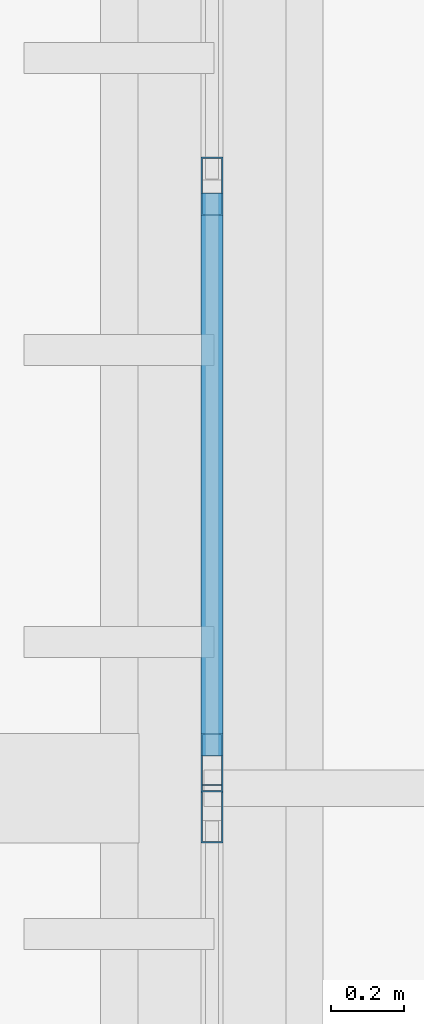
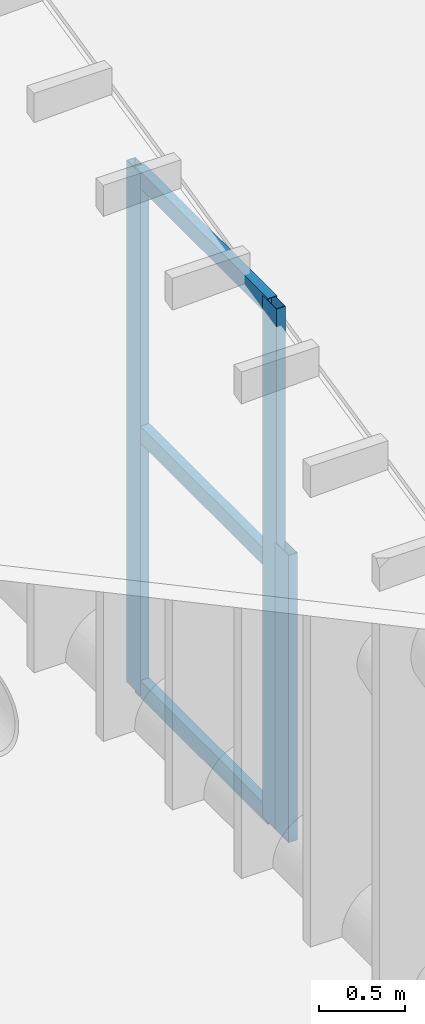
# One storey, part 9 of 397: 6 members, 2 elements without a shape of their own.
"""IFC4 building model written with IfcOpenShell, lengths in metres."""

from ifc_helpers import new_model, si_unit, direction, frame, origin, origin_2d, place, context, subcontext, project, spatial, hollow_rectangle, extrude, material, material_profile, profile_set, type_object, element, aggregate, save


model = new_model("IFC4")

# Units and contexts
model_context = context("Model", 3, precision=1e-05, world=origin(), true_north=direction((0.0, 1.0)))
body_context = subcontext(model_context, "Body", "Model", "MODEL_VIEW")
ifc_project = project(units=[si_unit("LENGTHUNIT", "METRE"), si_unit("AREAUNIT", "SQUARE_METRE"), si_unit("VOLUMEUNIT", "CUBIC_METRE"), si_unit("PLANEANGLEUNIT", "RADIAN"), si_unit("MASSUNIT", "GRAM", prefix="KILO")], contexts=[model_context])

# Site, building, storey
site_placement = place(None, origin())
site = spatial("IfcSite", under=ifc_project, at=site_placement, CompositionType="ELEMENT")
building_placement = place(site_placement, origin())
building = spatial("IfcBuilding", under=site, at=building_placement, Name="Qandorah Velis Arena", CompositionType="ELEMENT")
storey_placement = place(building_placement, frame((0.0, 0.0, 27.5)))
storey = spatial("IfcBuildingStorey", under=building, at=storey_placement, Name="RF", CompositionType="ELEMENT", Elevation=27.5)

# Curtain wall, member
ifc_material_1 = material(Name="Solar-control low-E double glazing", Category="glass")
curtain_wall_type_1 = type_object("IfcCurtainWallType", Name="ARC-CW-SYS01", PredefinedType="USERDEFINED", material=ifc_material_1)
curtain_wall_1_placement = place(storey_placement, origin())
curtain_wall_1 = element("IfcCurtainWall", 1, at=curtain_wall_1_placement, inside=storey, type_object=curtain_wall_type_1, Name="Unitised curtain wall CROWN-1-01S1", ObjectType="UNITISED CURTAIN WALL", PredefinedType="USERDEFINED")
ifc_material_2 = material(Name="Champagne-bronze anodized aluminium 6063-T6", Category="aluminium")
ifc_material_profile_1 = material_profile(ifc_material_2, hollow_rectangle(XDim=0.06005859375, YDim=0.159912109375, WallThickness=0.00341796875, at=origin_2d()), Name="ALU MULLION 60x160")
ifc_profile_set_1 = profile_set([ifc_material_profile_1], Name="Champagne-bronze anodized aluminium 6063-T6")
member_type_1 = type_object("IfcMemberType", Name="ARC-CWM-160", PredefinedType="MULLION", material=ifc_profile_set_1)
member_1_placement = place(storey_placement, frame((14.39990234375, 21.530029296875, -0.014892578125), z_axis=(0.0, 0.0, 1.0), x_axis=(-1.0, 0.0, 0.0)))
member_1 = element("IfcMember", 2, at=member_1_placement, type_object=member_type_1, Name="CW01 mullion 5", PredefinedType="MULLION", context=body_context, shape_type="SweptSolid", body=[
    extrude(hollow_rectangle(XDim=0.06005859375, YDim=0.159912109375, WallThickness=0.00341796875, at=origin_2d()), origin(), (0.0, 0.0, 1.0), 2.03271484375),
])
aggregate(curtain_wall_1, [member_1])

# Curtain wall, members
curtain_wall_type_2 = type_object("IfcCurtainWallType", Name="ARC-CW-SYS02", PredefinedType="USERDEFINED", material=ifc_material_1)
curtain_wall_2_placement = place(storey_placement, origin())
curtain_wall_2 = element("IfcCurtainWall", 3, at=curtain_wall_2_placement, inside=storey, type_object=curtain_wall_type_2, Name="Unitised curtain wall CROWN-1-01S2", ObjectType="UNITISED CURTAIN WALL", PredefinedType="USERDEFINED")
member_2_placement = place(storey_placement, frame((14.39990234375, 21.669921875, -0.014892578125), z_axis=(0.0, 0.0, 1.0), x_axis=(-1.0, 0.0, 0.0)))
member_2 = element("IfcMember", 4, at=member_2_placement, type_object=member_type_1, Name="CW02 mullion 1", PredefinedType="MULLION", context=body_context, shape_type="SweptSolid", body=[
    extrude(hollow_rectangle(XDim=0.06005859375, YDim=0.159912109375, WallThickness=0.00341796875, at=origin_2d()), origin(), (0.0, 0.0, 1.0), 3.6904296875),
])
member_3_placement = place(storey_placement, frame((14.39990234375, 23.248779296875, -0.014892578125), z_axis=(0.0, 0.0, 1.0), x_axis=(-1.0, 0.0, 0.0)))
member_3 = element("IfcMember", 5, at=member_3_placement, type_object=member_type_1, Name="CW02 mullion 2", PredefinedType="MULLION", context=body_context, shape_type="SweptSolid", body=[
    extrude(hollow_rectangle(XDim=0.06005859375, YDim=0.159912109375, WallThickness=0.00341796875, at=origin_2d()), origin(), (0.0, 0.0, 1.0), 3.6904296875),
])
ifc_material_profile_2 = material_profile(ifc_material_2, hollow_rectangle(XDim=0.06005859375, YDim=0.1201171875, WallThickness=0.0029296875, at=origin_2d()), Name="ALU TRANSOM 60x120")
ifc_profile_set_2 = profile_set([ifc_material_profile_2], Name="Champagne-bronze anodized aluminium 6063-T6")
member_type_2 = type_object("IfcMemberType", Name="ARC-CWT-120", PredefinedType="USERDEFINED", material=ifc_profile_set_2)
member_4_placement = place(storey_placement, frame((14.39990234375, 21.68798828125, 0.030029296875), z_axis=(0.0, 1.0, 0.0), x_axis=(-1.0, 0.0, 0.0)))
member_4 = element("IfcMember", 6, at=member_4_placement, type_object=member_type_2, Name="CW02 transom 1.1", ObjectType="TRANSOM", PredefinedType="USERDEFINED", context=body_context, shape_type="SweptSolid", body=[
    extrude(hollow_rectangle(XDim=0.06005859375, YDim=0.1201171875, WallThickness=0.0029296875, at=origin_2d()), origin(), (0.0, 0.0, 1.0), 1.542724609375),
])
member_5_placement = place(storey_placement, frame((14.39990234375, 21.68798828125, 1.830078125), z_axis=(0.0, 1.0, 0.0), x_axis=(-1.0, 0.0, 0.0)))
member_5 = element("IfcMember", 7, at=member_5_placement, type_object=member_type_2, Name="CW02 transom 1.2", ObjectType="TRANSOM", PredefinedType="USERDEFINED", context=body_context, shape_type="SweptSolid", body=[
    extrude(hollow_rectangle(XDim=0.06005859375, YDim=0.1201171875, WallThickness=0.0029296875, at=origin_2d()), origin(), (0.0, 0.0, 1.0), 1.542724609375),
])
member_6_placement = place(storey_placement, frame((14.39990234375, 21.68798828125, 3.630615234375), z_axis=(0.0, 1.0, 0.0), x_axis=(-1.0, 0.0, 0.0)))
member_6 = element("IfcMember", 8, at=member_6_placement, type_object=member_type_2, Name="CW02 transom 1.3", ObjectType="TRANSOM", PredefinedType="USERDEFINED", context=body_context, shape_type="SweptSolid", body=[
    extrude(hollow_rectangle(XDim=0.06005859375, YDim=0.1201171875, WallThickness=0.0029296875, at=origin_2d()), origin(), (0.0, 0.0, 1.0), 1.542724609375),
])
aggregate(curtain_wall_2, [member_2, member_3, member_4, member_5, member_6])

save(model, "model.ifc")
